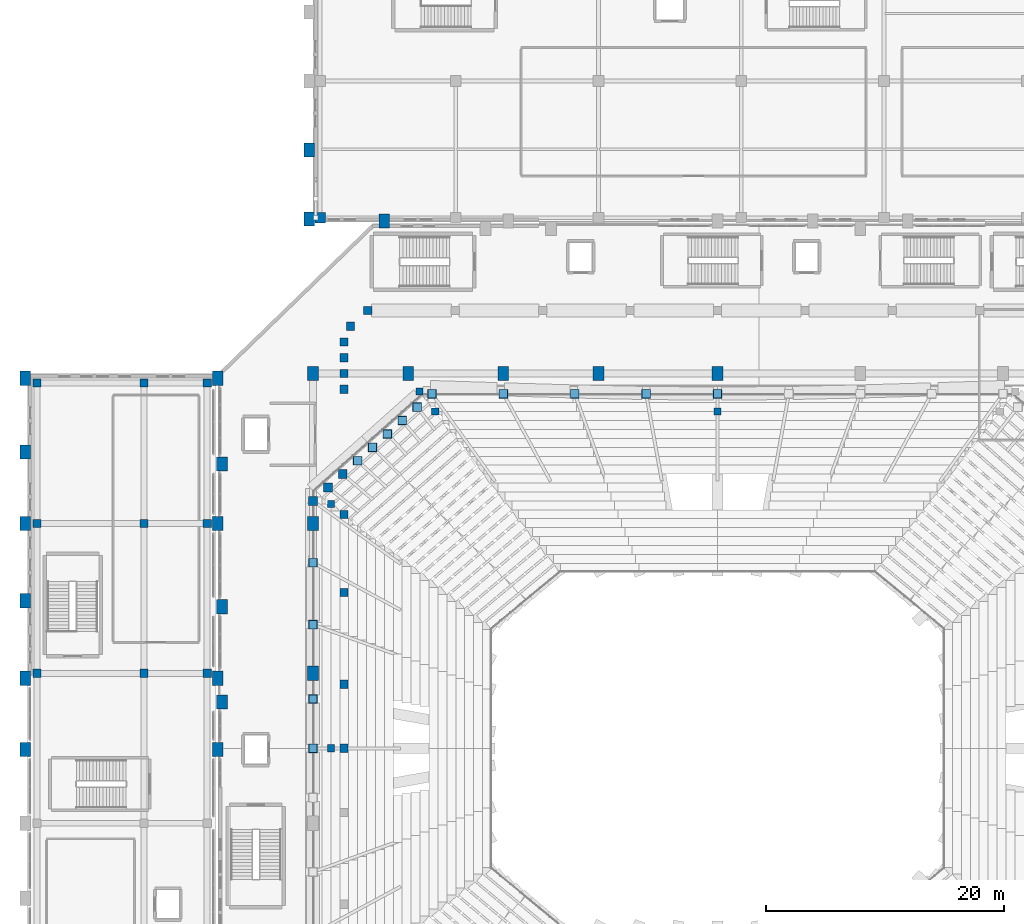
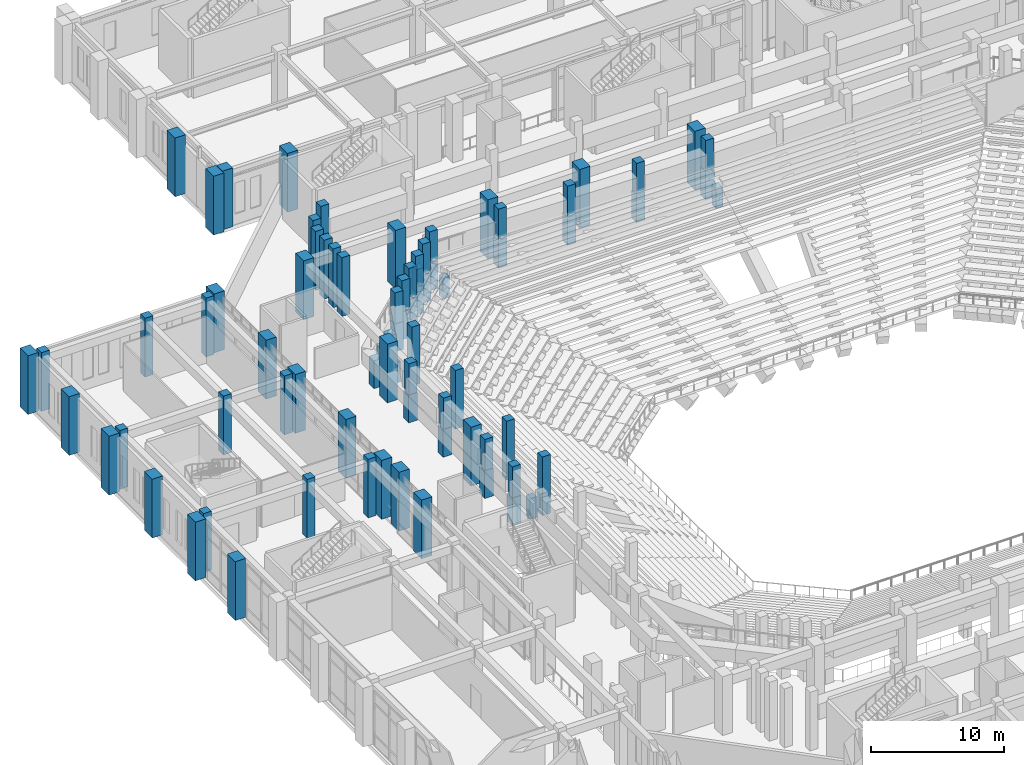
# One storey, part 5 of 159: 79 columns.
"""IFC4 building model written with IfcOpenShell, lengths in metres."""

from ifc_helpers import new_model, si_unit, derived_unit, direction, frame, origin, origin_2d, place, context, subcontext, project, spatial, rectangle, extrude, material, material_profile, profile_set, type_object, element, save


model = new_model("IFC4")

# Units and contexts
model_context = context("Model", 3, precision=1e-05, world=origin(), true_north=direction((0.0, 1.0)))
body_context = subcontext(model_context, "Body", "Model", "MODEL_VIEW")
ifc_project = project(units=[si_unit("LENGTHUNIT", "METRE"), si_unit("AREAUNIT", "SQUARE_METRE"), si_unit("VOLUMEUNIT", "CUBIC_METRE"), si_unit("PLANEANGLEUNIT", "RADIAN"), si_unit("MASSUNIT", "GRAM", prefix="KILO"), derived_unit("THERMALTRANSMITTANCEUNIT", [(si_unit("MASSUNIT", "GRAM", prefix="KILO"), 1), (si_unit("TIMEUNIT", "SECOND"), -3), (si_unit("THERMODYNAMICTEMPERATUREUNIT", "KELVIN"), -1)])], contexts=[model_context])

# Site, building, storey
site_placement = place(None, origin())
site = spatial("IfcSite", under=ifc_project, at=site_placement, CompositionType="ELEMENT")
building_placement = place(site_placement, origin())
building = spatial("IfcBuilding", under=site, at=building_placement, Name="Valcora Ridge Arena", CompositionType="ELEMENT")
storey_placement = place(building_placement, frame((0.0, 0.0, 6.0)))
storey = spatial("IfcBuildingStorey", under=building, at=storey_placement, Name="L01", CompositionType="ELEMENT", Elevation=6.0)

# Columns
ifc_material_1 = material(Name="Bush-hammered Andean travertine architectural concrete C45/55", Category="masonry")
ifc_material_profile_1 = material_profile(ifc_material_1, rectangle(XDim=0.89990234375, YDim=1.199951171875, at=origin_2d()), Name="RC 900x1200")
ifc_profile_set_1 = profile_set([ifc_material_profile_1], Name="Bush-hammered Andean travertine architectural concrete C45/55")
column_type_1 = type_object("IfcColumnType", Name="TY-COLUMN-C-BUTT-1200", PredefinedType="PILASTER", material=ifc_profile_set_1)
for number, where, z_axis, x_axis, name in (
    (1, (16.35009765625, 68.0, 0.0), (0.0, 0.0, 1.0), (1.0, 0.0, 0.0), "C-BUTT-1200 COL-C-BUTT-1200-0043"),
    (2, (16.35009765625, 76.0, 0.0), (0.0, 0.0, 1.0), (1.0, 0.0, 0.0), "C-BUTT-1200 COL-C-BUTT-1200-0047"),
    (3, (16.35009765625, 88.0, 0.0), (0.0, 0.0, 1.0), (1.0, 0.0, 0.0), "C-BUTT-1200 COL-C-BUTT-1200-0051"),
    (4, (-0.179931640625, 70.0, 0.0), (0.0, 0.0, 1.0), (1.0, 0.0, 0.0), "C-BUTT-1200 COL-C-BUTT-1200-0096"),
    (5, (-0.179931640625, 83.0, 0.0), (0.0, 0.0, 1.0), (1.0, 0.0, 0.0), "C-BUTT-1200 COL-C-BUTT-1200-0099"),
    (6, (-0.179931640625, 95.199951171875, 0.0), (0.0, 0.0, 1.0), (1.0, 0.0, 0.0), "C-BUTT-1200 COL-C-BUTT-1200-0102"),
    (7, (16.0, 64.0, 0.0), (0.0, 0.0, 1.0), (1.0, 0.0, 0.0), "C-BUTT-1200 COL-C-BUTT-1200-0120"),
    (8, (16.0, 70.0, 0.0), (0.0, 0.0, 1.0), (1.0, 0.0, 0.0), "C-BUTT-1200 COL-C-BUTT-1200-0123"),
    (9, (16.0, 83.0, 0.0), (0.0, 0.0, 1.0), (1.0, 0.0, 0.0), "C-BUTT-1200 COL-C-BUTT-1200-0126"),
    (10, (16.0, 95.199951171875, 0.0), (0.0, 0.0, 1.0), (1.0, 0.0, 0.0), "C-BUTT-1200 COL-C-BUTT-1200-0129"),
    (11, (23.679931640625, 108.60009765625, 0.0), (0.0, 0.0, 1.0), (1.0, 0.0, 0.0), "C-BUTT-1200 COL-C-BUTT-1200-0229"),
    (12, (23.679931640625, 114.39990234375, 0.0), (0.0, 0.0, 1.0), (1.0, 0.0, 0.0), "C-BUTT-1200 COL-C-BUTT-1200-0233"),
    (13, (30.0, 108.419921875, 0.0), (0.0, 0.0, 1.0), (1.0, 0.0, 0.0), "C-BUTT-1200 COL-C-BUTT-1200-0329"),
    (14, (-0.179931640625, 64.0, 0.0), (0.0, 0.0, 1.0), (1.0, 0.0, 0.0), "C-BUTT-1200 COL-C-BUTT-1200-0423"),
    (15, (-0.179931640625, 76.5, 0.0), (0.0, 0.0, 1.0), (1.0, 0.0, 0.0), "C-BUTT-1200 COL-C-BUTT-1200-0426"),
    (16, (-0.179931640625, 89.0, 0.0), (0.0, 0.0, 1.0), (1.0, 0.0, 0.0), "C-BUTT-1200 COL-C-BUTT-1200-0429"),
):
    element("IfcColumn", number, at=place(storey_placement, frame(where, z_axis=z_axis, x_axis=x_axis)), inside=storey, type_object=column_type_1, Name=name, PredefinedType="PILASTER", context=body_context, shape_type="SweptSolid", body=[
        extrude(rectangle(XDim=0.89990234375, YDim=1.199951171875, at=origin_2d()), origin(), (0.0, 0.0, 1.0), 5.39990234375),
    ])
ifc_material_2 = material(Name="Concrete C40/50", Category="concrete")
ifc_material_profile_2 = material_profile(ifc_material_2, rectangle(XDim=0.699951171875, YDim=0.699951171875, at=origin_2d()), Name="RC 700x700")
ifc_profile_set_2 = profile_set([ifc_material_profile_2], Name="Concrete C40/50")
column_type_2 = type_object("IfcColumnType", Name="TY-COLUMN-C-RC700", PredefinedType="COLUMN", material=ifc_profile_set_2)
for number, where, z_axis, x_axis, name in (
    (17, (0.800048828125, 70.39990234375, 0.0), (0.0, 0.0, 1.0), (1.0, 0.0, 0.0), "C-RC700 COL-C-RC700-0086"),
    (18, (0.800048828125, 83.0, 0.0), (0.0, 0.0, 1.0), (1.0, 0.0, 0.0), "C-RC700 COL-C-RC700-0088"),
    (19, (0.800048828125, 94.800048828125, 0.0), (0.0, 0.0, 1.0), (1.0, 0.0, 0.0), "C-RC700 COL-C-RC700-0090"),
    (20, (9.800048828125, 70.39990234375, 0.0), (0.0, 0.0, 1.0), (1.0, 0.0, 0.0), "C-RC700 COL-C-RC700-0100"),
    (21, (9.800048828125, 83.0, 0.0), (0.0, 0.0, 1.0), (1.0, 0.0, 0.0), "C-RC700 COL-C-RC700-0102"),
    (22, (9.800048828125, 94.800048828125, 0.0), (0.0, 0.0, 1.0), (1.0, 0.0, 0.0), "C-RC700 COL-C-RC700-0104"),
    (23, (15.10009765625, 70.39990234375, 0.0), (0.0, 0.0, 1.0), (1.0, 0.0, 0.0), "C-RC700 COL-C-RC700-0114"),
    (24, (15.10009765625, 83.0, 0.0), (0.0, 0.0, 1.0), (1.0, 0.0, 0.0), "C-RC700 COL-C-RC700-0116"),
    (25, (15.10009765625, 94.800048828125, 0.0), (0.0, 0.0, 1.0), (1.0, 0.0, 0.0), "C-RC700 COL-C-RC700-0118"),
):
    element("IfcColumn", number, at=place(storey_placement, frame(where, z_axis=z_axis, x_axis=x_axis)), inside=storey, type_object=column_type_2, Name=name, PredefinedType="COLUMN", context=body_context, shape_type="SweptSolid", body=[
        extrude(rectangle(XDim=0.699951171875, YDim=0.699951171875, at=origin_2d()), origin(), (0.0, 0.0, 1.0), 5.39990234375),
    ])
ifc_material_profile_3 = material_profile(ifc_material_2, rectangle(XDim=0.89990234375, YDim=1.199951171875, at=origin_2d()), Name="RC 900x1200")
ifc_profile_set_3 = profile_set([ifc_material_profile_3], Name="Concrete C40/50")
column_type_3 = type_object("IfcColumnType", Name="TY-COLUMN-C-RC900", PredefinedType="COLUMN", material=ifc_profile_set_3)
for number, where, z_axis, x_axis, name in (
    (26, (24.0, 70.39990234375, 0.0), (0.0, 0.0, 1.0), (1.0, 0.0, 0.0), "C-RC900 COL-C-RC900-0007"),
    (27, (24.0, 83.0, 0.0), (0.0, 0.0, 1.0), (1.0, 0.0, 0.0), "C-RC900 COL-C-RC900-0009"),
    (28, (24.0, 95.60009765625, 0.0), (0.0, 0.0, 1.0), (1.0, 0.0, 0.0), "C-RC900 COL-C-RC900-0011"),
    (29, (32.0, 95.60009765625, 0.0), (0.0, 0.0, 1.0), (1.0, 0.0, 0.0), "C-RC900 COL-C-RC900-0015"),
    (30, (40.0, 95.60009765625, 0.0), (0.0, 0.0, 1.0), (1.0, 0.0, 0.0), "C-RC900 COL-C-RC900-0019"),
    (31, (48.0, 95.60009765625, 0.0), (0.0, 0.0, 1.0), (1.0, 0.0, 0.0), "C-RC900 COL-C-RC900-0023"),
    (32, (58.0, 95.60009765625, 0.0), (0.0, 0.0, 1.0), (1.0, 0.0, 0.0), "C-RC900 COL-C-RC900-0027"),
):
    element("IfcColumn", number, at=place(storey_placement, frame(where, z_axis=z_axis, x_axis=x_axis)), inside=storey, type_object=column_type_3, Name=name, PredefinedType="COLUMN", context=body_context, shape_type="SweptSolid", body=[
        extrude(rectangle(XDim=0.89990234375, YDim=1.199951171875, at=origin_2d()), origin(), (0.0, 0.0, 1.0), 5.39990234375),
    ])
ifc_material_profile_4 = material_profile(ifc_material_2, rectangle(XDim=0.89990234375, YDim=0.89990234375, at=origin_2d()), Name="RC 900x900")
ifc_profile_set_4 = profile_set([ifc_material_profile_4], Name="Concrete C40/50")
column_type_4 = type_object("IfcColumnType", Name="TY-COLUMN-C-RC900B", PredefinedType="COLUMN", material=ifc_profile_set_4)
column_1_placement = place(storey_placement, frame((24.60009765625, 108.699951171875, 0.0), z_axis=(0.0, 0.0, 1.0), x_axis=(1.0, 0.0, 0.0)))
element("IfcColumn", 33, at=column_1_placement, inside=storey, type_object=column_type_4, Name="C-RC900B COL-C-RC900B-0003", PredefinedType="COLUMN", context=body_context, shape_type="SweptSolid", body=[
    extrude(rectangle(XDim=0.89990234375, YDim=0.89990234375, at=origin_2d()), origin(), (0.0, 0.0, 1.0), 5.39990234375),
])
ifc_material_profile_5 = material_profile(ifc_material_2, rectangle(XDim=0.60009765625, YDim=0.60009765625, at=origin_2d()), Name="RC 600x600")
ifc_profile_set_5 = profile_set([ifc_material_profile_5], Name="Concrete C40/50")
column_type_5 = type_object("IfcColumnType", Name="TY-COLUMN-C-RKR600I", PredefinedType="COLUMN", material=ifc_profile_set_5)
for number, where, z_axis, x_axis, name in (
    (34, (58.0, 92.39990234375, 0.0), (0.0, 0.0, 1.0), (1.0, 0.0, 0.0), "C-RKR600I COL-R2-C-RKR600I-0048"),
    (35, (34.27001953125, 92.39990234375, 0.0), (0.0, 0.0, 1.0), (1.0, 0.0, 0.0), "C-RKR600I COL-R2-C-RKR600I-0050"),
    (36, (25.5, 84.6298828125, 0.0), (0.0, 0.0, 1.0), (1.0, 0.0, 0.0), "C-RKR600I COL-R2-C-RKR600I-0052"),
    (37, (25.5, 64.10009765625, 0.0), (0.0, 0.0, 1.0), (1.0, 0.0, 0.0), "C-RKR600I COL-R2-C-RKR600I-0054"),
):
    element("IfcColumn", number, at=place(storey_placement, frame(where, z_axis=z_axis, x_axis=x_axis)), inside=storey, type_object=column_type_5, Name=name, PredefinedType="COLUMN", context=body_context, shape_type="SweptSolid", body=[
        extrude(rectangle(XDim=0.60009765625, YDim=0.60009765625, at=origin_2d()), origin(), (0.0, 0.0, 1.0), 1.89501953125),
    ])
column_2_placement = place(storey_placement, frame((32.959716796875, 94.080078125, 0.0), z_axis=(0.0, 0.0, 1.0), x_axis=(1.0, 0.0, 0.0)))
element("IfcColumn", 38, at=column_2_placement, inside=storey, type_object=column_type_5, Name="C-RKR600I COL-R2-C-RKR600I-0064", PredefinedType="COLUMN", context=body_context, shape_type="SweptSolid", body=[
    extrude(rectangle(XDim=0.60009765625, YDim=0.60009765625, at=origin_2d()), origin(), (0.0, 0.0, 1.0), 2.159912109375),
])
ifc_material_profile_6 = material_profile(ifc_material_2, rectangle(XDim=0.75, YDim=0.75, at=origin_2d()), Name="RC 750x750")
ifc_profile_set_6 = profile_set([ifc_material_profile_6], Name="Concrete C40/50")
column_type_6 = type_object("IfcColumnType", Name="TY-COLUMN-C-RKR750U", PredefinedType="COLUMN", material=ifc_profile_set_6)
for number, where, z_axis, x_axis, name in (
    (39, (58.0, 93.89990234375, 0.0), (0.0, 0.0, 1.0), (1.0, 0.0, 0.0), "C-RKR750U COL-RK-C-RKR750U-0035"),
    (40, (52.0, 93.89990234375, 0.0), (0.0, 0.0, 1.0), (1.0, 0.0, 0.0), "C-RKR750U COL-RK-C-RKR750U-0036"),
    (41, (46.0, 93.89990234375, 0.0), (0.0, 0.0, 1.0), (1.0, 0.0, 0.0), "C-RKR750U COL-RK-C-RKR750U-0037"),
    (42, (40.0, 93.89990234375, 0.0), (0.0, 0.0, 1.0), (1.0, 0.0, 0.0), "C-RKR750U COL-RK-C-RKR750U-0038"),
    (43, (34.0, 93.89990234375, 0.0), (0.0, 0.0, 1.0), (1.0, 0.0, 0.0), "C-RKR750U COL-RK-C-RKR750U-0039"),
    (44, (32.75, 92.77490234375, 0.0), (0.0, 0.0, 1.0), (1.0, 0.0, 0.0), "C-RKR750U COL-RK-C-RKR750U-0040"),
    (45, (31.5, 91.64990234375, 0.0), (0.0, 0.0, 1.0), (1.0, 0.0, 0.0), "C-RKR750U COL-RK-C-RKR750U-0041"),
    (46, (30.25, 90.52490234375, 0.0), (0.0, 0.0, 1.0), (1.0, 0.0, 0.0), "C-RKR750U COL-RK-C-RKR750U-0042"),
    (47, (29.0, 89.39990234375, 0.0), (0.0, 0.0, 1.0), (1.0, 0.0, 0.0), "C-RKR750U COL-RK-C-RKR750U-0043"),
    (48, (27.75, 88.27490234375, 0.0), (0.0, 0.0, 1.0), (1.0, 0.0, 0.0), "C-RKR750U COL-RK-C-RKR750U-0044"),
    (49, (26.5, 87.14990234375, 0.0), (0.0, 0.0, 1.0), (1.0, 0.0, 0.0), "C-RKR750U COL-RK-C-RKR750U-0045"),
    (50, (25.25, 86.02490234375, 0.0), (0.0, 0.0, 1.0), (1.0, 0.0, 0.0), "C-RKR750U COL-RK-C-RKR750U-0046"),
    (51, (24.0, 84.89990234375, 0.0), (0.0, 0.0, 1.0), (1.0, 0.0, 0.0), "C-RKR750U COL-RK-C-RKR750U-0047"),
    (52, (24.0, 79.699951171875, 0.0), (0.0, 0.0, 1.0), (1.0, 0.0, 0.0), "C-RKR750U COL-RK-C-RKR750U-0048"),
    (53, (24.0, 74.5, 0.0), (0.0, 0.0, 1.0), (1.0, 0.0, 0.0), "C-RKR750U COL-RK-C-RKR750U-0049"),
    (54, (24.0, 64.10009765625, 0.0), (0.0, 0.0, 1.0), (1.0, 0.0, 0.0), "C-RKR750U COL-RK-C-RKR750U-0050"),
    (55, (24.0, 68.25, 0.0), (0.0, 0.0, 1.0), (1.0, 0.0, 0.0), "C-RKR750U COL-RKN-C-RKR750U-0003"),
):
    element("IfcColumn", number, at=place(storey_placement, frame(where, z_axis=z_axis, x_axis=x_axis)), inside=storey, type_object=column_type_6, Name=name, PredefinedType="COLUMN", context=body_context, shape_type="SweptSolid", body=[
        extrude(rectangle(XDim=0.75, YDim=0.75, at=origin_2d()), origin(), (0.0, 0.0, 1.0), 2.550048828125),
    ])
ifc_material_profile_7 = material_profile(ifc_material_2, rectangle(XDim=0.699951171875, YDim=0.699951171875, at=origin_2d()), Name="RC 700x700")
ifc_profile_set_7 = profile_set([ifc_material_profile_7], Name="Concrete C40/50")
column_type_7 = type_object("IfcColumnType", Name="TY-COLUMN-C-RKRU700B", PredefinedType="COLUMN", material=ifc_profile_set_7)
for number, where, z_axis, x_axis, name in (
    (56, (28.60009765625, 100.89990234375, 0.0), (0.0, 0.0, 1.0), (1.0, 0.0, 0.0), "C-RKRU700B COL-RK-C-RKRU700B-0193"),
    (57, (27.14990234375, 99.574951171875, 0.0), (0.0, 0.0, 1.0), (1.0, 0.0, 0.0), "C-RKRU700B COL-RK-C-RKRU700B-0198"),
    (58, (26.60009765625, 98.25, 0.0), (0.0, 0.0, 1.0), (1.0, 0.0, 0.0), "C-RKRU700B COL-RK-C-RKRU700B-0203"),
    (59, (26.60009765625, 96.925048828125, 0.0), (0.0, 0.0, 1.0), (1.0, 0.0, 0.0), "C-RKRU700B COL-RK-C-RKRU700B-0208"),
    (60, (26.60009765625, 95.60009765625, 0.0), (0.0, 0.0, 1.0), (1.0, 0.0, 0.0), "C-RKRU700B COL-RK-C-RKRU700B-0213"),
    (61, (26.60009765625, 94.27490234375, 0.0), (0.0, 0.0, 1.0), (1.0, 0.0, 0.0), "C-RKRU700B COL-RK-C-RKRU700B-0218"),
    (62, (26.60009765625, 83.75, 0.0), (0.0, 0.0, 1.0), (1.0, 0.0, 0.0), "C-RKRU700B COL-RK-C-RKRU700B-0223"),
    (63, (26.60009765625, 77.199951171875, 0.0), (0.0, 0.0, 1.0), (1.0, 0.0, 0.0), "C-RKRU700B COL-RK-C-RKRU700B-0228"),
    (64, (26.60009765625, 64.10009765625, 0.0), (0.0, 0.0, 1.0), (1.0, 0.0, 0.0), "C-RKRU700B COL-RK-C-RKRU700B-0233"),
    (65, (26.60009765625, 69.489990234375, 0.0), (0.0, 0.0, 1.0), (1.0, 0.0, 0.0), "C-RKRU700B COL-RKN-C-RKRU700B-0003"),
):
    element("IfcColumn", number, at=place(storey_placement, frame(where, z_axis=z_axis, x_axis=x_axis)), inside=storey, type_object=column_type_7, Name=name, PredefinedType="COLUMN", context=body_context, shape_type="SweptSolid", body=[
        extrude(rectangle(XDim=0.699951171875, YDim=0.699951171875, at=origin_2d()), origin(), (0.0, 0.0, 1.0), 5.39990234375),
    ])
ifc_material_profile_8 = material_profile(ifc_material_2, rectangle(XDim=0.699951171875, YDim=0.699951171875, at=origin_2d()), Name="RC 700x700")
ifc_profile_set_8 = profile_set([ifc_material_profile_8], Name="Concrete C40/50")
column_type_8 = type_object("IfcColumnType", Name="TY-COLUMN-C-RKRU700M", PredefinedType="COLUMN", material=ifc_profile_set_8)
for number, where, z_axis, x_axis, name in (
    (66, (58.0, 93.89990234375, 2.550048828125), (0.0, 0.0, 1.0), (1.0, 0.0, 0.0), "C-RKRU700M COL-RK-C-RKRU700M-0035"),
    (67, (52.0, 93.89990234375, 2.550048828125), (0.0, 0.0, 1.0), (1.0, 0.0, 0.0), "C-RKRU700M COL-RK-C-RKRU700M-0036"),
    (68, (46.0, 93.89990234375, 2.550048828125), (0.0, 0.0, 1.0), (1.0, 0.0, 0.0), "C-RKRU700M COL-RK-C-RKRU700M-0037"),
    (69, (40.0, 93.89990234375, 2.550048828125), (0.0, 0.0, 1.0), (1.0, 0.0, 0.0), "C-RKRU700M COL-RK-C-RKRU700M-0038"),
    (70, (34.0, 93.89990234375, 2.550048828125), (0.0, 0.0, 1.0), (1.0, 0.0, 0.0), "C-RKRU700M COL-RK-C-RKRU700M-0039"),
    (71, (32.75, 92.77490234375, 2.550048828125), (0.0, 0.0, 1.0), (1.0, 0.0, 0.0), "C-RKRU700M COL-RK-C-RKRU700M-0040"),
    (72, (31.5, 91.64990234375, 2.550048828125), (0.0, 0.0, 1.0), (1.0, 0.0, 0.0), "C-RKRU700M COL-RK-C-RKRU700M-0041"),
    (73, (30.25, 90.52490234375, 2.550048828125), (0.0, 0.0, 1.0), (1.0, 0.0, 0.0), "C-RKRU700M COL-RK-C-RKRU700M-0042"),
    (74, (29.0, 89.39990234375, 2.550048828125), (0.0, 0.0, 1.0), (1.0, 0.0, 0.0), "C-RKRU700M COL-RK-C-RKRU700M-0043"),
    (75, (27.75, 88.27490234375, 2.550048828125), (0.0, 0.0, 1.0), (1.0, 0.0, 0.0), "C-RKRU700M COL-RK-C-RKRU700M-0044"),
    (76, (24.0, 79.699951171875, 2.550048828125), (0.0, 0.0, 1.0), (1.0, 0.0, 0.0), "C-RKRU700M COL-RK-C-RKRU700M-0045"),
    (77, (24.0, 74.5, 2.550048828125), (0.0, 0.0, 1.0), (1.0, 0.0, 0.0), "C-RKRU700M COL-RK-C-RKRU700M-0046"),
    (78, (24.0, 64.10009765625, 2.550048828125), (0.0, 0.0, 1.0), (1.0, 0.0, 0.0), "C-RKRU700M COL-RK-C-RKRU700M-0047"),
    (79, (24.0, 68.25, 2.550048828125), (0.0, 0.0, 1.0), (1.0, 0.0, 0.0), "C-RKRU700M COL-RKN-C-RKRU700M-0001"),
):
    element("IfcColumn", number, at=place(storey_placement, frame(where, z_axis=z_axis, x_axis=x_axis)), inside=storey, type_object=column_type_8, Name=name, PredefinedType="COLUMN", context=body_context, shape_type="SweptSolid", body=[
        extrude(rectangle(XDim=0.699951171875, YDim=0.699951171875, at=origin_2d()), origin(), (0.0, 0.0, 1.0), 2.849853515625),
    ])

save(model, "model.ifc")
